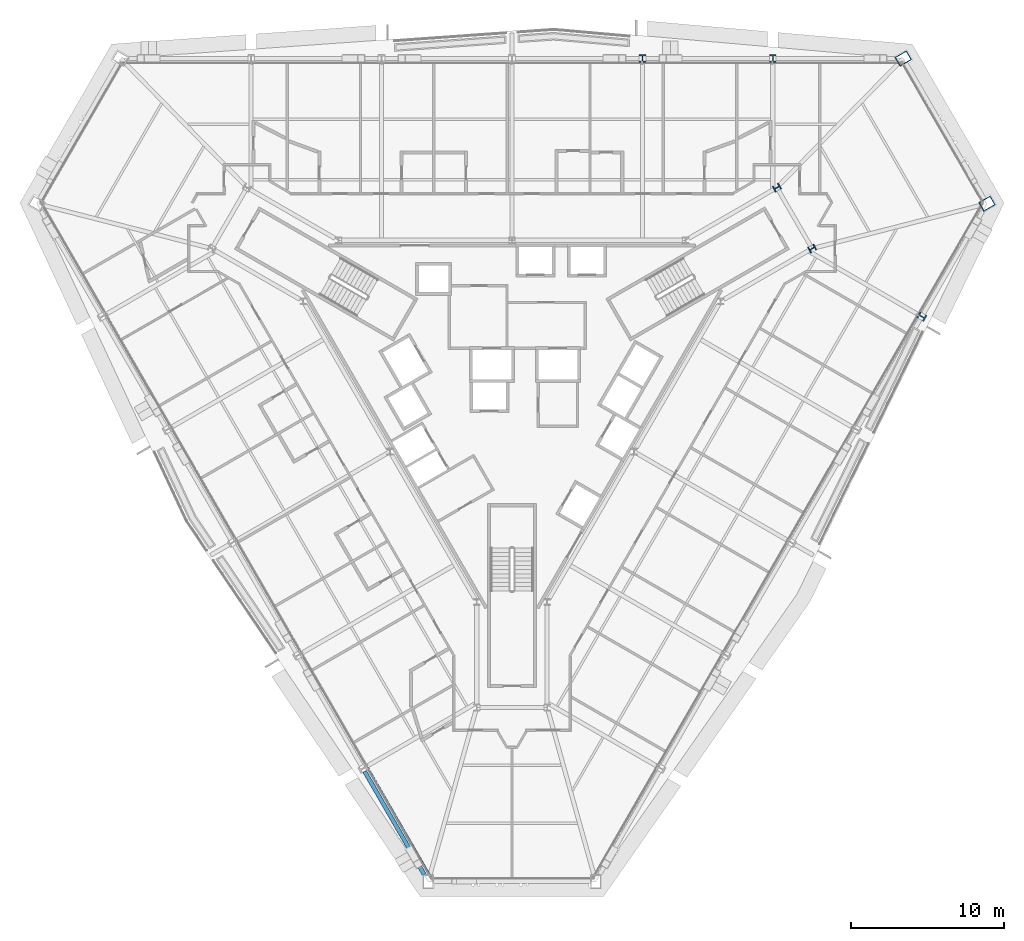
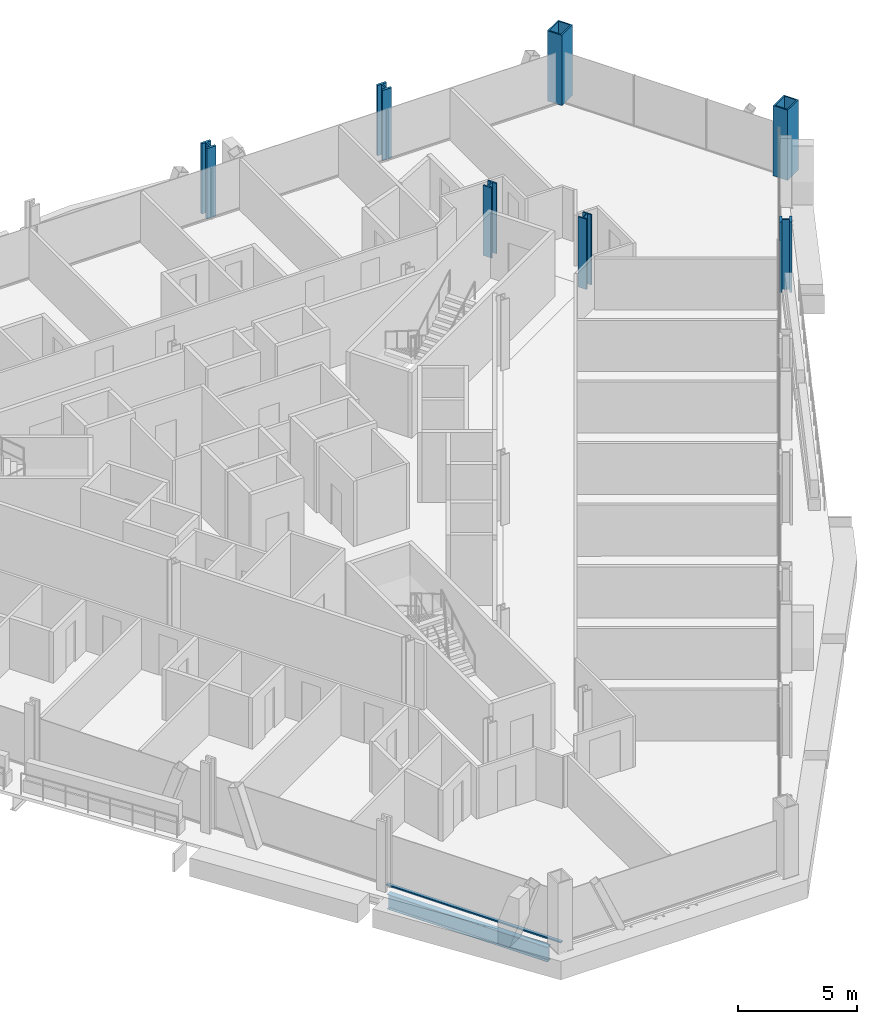
# One storey, part 2 of 18: 7 columns, 1 beam, 1 member, 1 element without a shape of its own.
"""IFC4 building model written with IfcOpenShell, lengths in metres."""

from ifc_helpers import new_model, si_unit, direction, frame, origin, origin_2d, place, context, subcontext, project, spatial, rectangle, hollow_rectangle, i_section, extrude, material, material_profile, profile_set, type_object, element, aggregate, save


model = new_model("IFC4")

# Units and contexts
model_context = context("Model", 3, precision=1e-05, world=origin(), true_north=direction((0.0, 1.0)))
body_context = subcontext(model_context, "Body", "Model", "MODEL_VIEW")
ifc_project = project(units=[si_unit("LENGTHUNIT", "METRE"), si_unit("AREAUNIT", "SQUARE_METRE"), si_unit("VOLUMEUNIT", "CUBIC_METRE"), si_unit("PLANEANGLEUNIT", "RADIAN"), si_unit("MASSUNIT", "GRAM", prefix="KILO")], contexts=[model_context])

# Site, building, storey
site_placement = place(None, origin())
site = spatial("IfcSite", under=ifc_project, at=site_placement, CompositionType="ELEMENT")
building_placement = place(site_placement, origin())
building = spatial("IfcBuilding", under=site, at=building_placement, Name="Verrane Prism Tower", CompositionType="ELEMENT")
storey_placement = place(building_placement, frame((0.0, 0.0, 54.800048828125)))
storey = spatial("IfcBuildingStorey", under=building, at=storey_placement, Name="L11", CompositionType="ELEMENT", Elevation=54.800048828125)

# Columns
ifc_material_1 = material(Name="Steel A992", Category="steel")
ifc_material_profile_1 = material_profile(ifc_material_1, i_section(OverallWidth=0.419189453125, OverallDepth=0.45458984375, WebThickness=0.042236328125, FlangeThickness=0.067626953125, FilletRadius=0.01513671875, at=origin_2d()), Name="W14x370")
ifc_profile_set_1 = profile_set([ifc_material_profile_1], Name="Steel A992")
column_type_1 = type_object("IfcColumnType", Name="Core corner column W14x370", PredefinedType="COLUMN", material=ifc_profile_set_1)
for number, where, z_axis, x_axis, name in (
    (1, (19.60009765625, 8.659912109375, 0.0), (0.0, 0.0, 1.0), (0.5, -0.866025403784, 0.0), "Core corner column CK-NEm L11"),
    (2, (17.300048828125, 12.639892578125, 0.0), (0.0, 0.0, 1.0), (0.5, -0.866025403784, 0.0), "Core corner column CK-NEp L11"),
):
    element("IfcColumn", number, at=place(storey_placement, frame(where, z_axis=z_axis, x_axis=x_axis)), inside=storey, type_object=column_type_1, Name=name, PredefinedType="COLUMN", context=body_context, shape_type="SweptSolid", body=[
        extrude(i_section(OverallWidth=0.419189453125, OverallDepth=0.45458984375, WebThickness=0.042236328125, FlangeThickness=0.067626953125, FilletRadius=0.01513671875, at=origin_2d()), origin(), (0.0, 0.0, 1.0), 3.599853515625),
    ])
ifc_material_2 = material(Name="Steel A572 Grade 50", Category="steel")
ifc_material_profile_2 = material_profile(ifc_material_2, hollow_rectangle(XDim=0.699951171875, YDim=0.89990234375, WallThickness=0.06494140625, at=origin_2d()), Name="BOX 900x700x65")
ifc_profile_set_2 = profile_set([ifc_material_profile_2], Name="Steel A572 Grade 50")
column_type_2 = type_object("IfcColumnType", Name="Megacolumn BOX 900x700x65", PredefinedType="COLUMN", material=ifc_profile_set_2)
for number, where, z_axis, x_axis, name in (
    (3, (25.550048828125, 21.070068359375, 0.0), (0.0, 0.0, 1.0), (0.5, -0.866025403784, 0.0), "Megacolumn MC-NE.b L11"),
    (4, (31.02001953125, 11.590087890625, 0.0), (0.0, 0.0, 1.0), (0.5, -0.866025403784, 0.0), "Megacolumn MC-NE.a L11"),
):
    element("IfcColumn", number, at=place(storey_placement, frame(where, z_axis=z_axis, x_axis=x_axis)), inside=storey, type_object=column_type_2, Name=name, PredefinedType="COLUMN", context=body_context, shape_type="SweptSolid", body=[
        extrude(hollow_rectangle(XDim=0.699951171875, YDim=0.89990234375, WallThickness=0.06494140625, at=origin_2d()), origin(), (0.0, 0.0, 1.0), 3.599853515625),
    ])
ifc_material_3 = material(Name="Steel A992", Category="steel")
ifc_material_profile_3 = material_profile(ifc_material_3, i_section(OverallWidth=0.44189453125, OverallDepth=0.53076171875, WebThickness=0.06591796875, FlangeThickness=0.105712890625, FilletRadius=0.01513671875, at=origin_2d()), Name="W14x605")
ifc_profile_set_3 = profile_set([ifc_material_profile_3], Name="Steel A992")
column_type_3 = type_object("IfcColumnType", Name="Perimeter column W14x605", PredefinedType="COLUMN", material=ifc_profile_set_3)
for number, where, z_axis, x_axis, name in (
    (5, (17.030029296875, 21.070068359375, 0.0), (0.0, 0.0, 1.0), (1.0, 0.0, 0.0), "Perimeter column PC-N1 L11"),
    (6, (8.52001953125, 21.070068359375, 0.0), (0.0, 0.0, 1.0), (1.0, 0.0, 0.0), "Perimeter column PC-N2 L11"),
    (7, (26.760009765625, 4.219970703125, 0.0), (0.0, 0.0, 1.0), (-0.5, -0.866025403784, 0.0), "Perimeter column PC-SE5 L11"),
):
    element("IfcColumn", number, at=place(storey_placement, frame(where, z_axis=z_axis, x_axis=x_axis)), inside=storey, type_object=column_type_3, Name=name, PredefinedType="COLUMN", context=body_context, shape_type="SweptSolid", body=[
        extrude(i_section(OverallWidth=0.44189453125, OverallDepth=0.53076171875, WebThickness=0.06591796875, FlangeThickness=0.105712890625, FilletRadius=0.01513671875, at=origin_2d()), origin(), (0.0, 0.0, 1.0), 3.599853515625),
    ])

# Beam
ifc_material_4 = material(Name="Steel A992", Category="steel")
ifc_material_profile_4 = material_profile(ifc_material_4, i_section(OverallWidth=0.2666015625, OverallDepth=0.7568359375, WebThickness=0.013916015625, FlangeThickness=0.019287109375, FilletRadius=0.0166015625, at=origin_2d()), Name="W30x108")
ifc_profile_set_4 = profile_set([ifc_material_profile_4], Name="Steel A992")
beam_type = type_object("IfcBeamType", Name="Spandrel beam W30x108", PredefinedType="SPANDREL", material=ifc_profile_set_4)
beam_placement = place(storey_placement, frame((-9.619384765625, -25.481201171875, -0.53857421875), z_axis=(0.500439305817, -0.865771621846, 0.0), x_axis=(0.865771621846, 0.500439305817, 0.0)))
element("IfcBeam", 8, at=beam_placement, inside=storey, type_object=beam_type, Name="Spandrel beam L11", PredefinedType="SPANDREL", context=body_context, shape_type="SweptSolid", body=[
    extrude(i_section(OverallWidth=0.2666015625, OverallDepth=0.7568359375, WebThickness=0.013916015625, FlangeThickness=0.019287109375, FilletRadius=0.0166015625, at=origin_2d()), origin(), (0.0, 0.0, 1.0), 7.77197265625),
])

# Curtain wall, member
ifc_material_5 = material(Name="Aluminium framed insulated glazing", Category="aluminium")
curtain_wall_type = type_object("IfcCurtainWallType", Name="Curtain wall CW-A 8400 module", PredefinedType="NOTDEFINED", material=ifc_material_5)
curtain_wall_placement = place(storey_placement, origin())
curtain_wall = element("IfcCurtainWall", 9, at=curtain_wall_placement, inside=storey, type_object=curtain_wall_type, Name="Glazed curtain wall south-west face L11", PredefinedType="NOTDEFINED")
ifc_material_6 = material(Name="Aluminium alloy 6063-T6", Category="aluminium")
ifc_material_profile_5 = material_profile(ifc_material_6, rectangle(XDim=0.14990234375, YDim=0.070068359375, at=origin_2d()), Name="Transom 70x150 aluminium")
ifc_profile_set_5 = profile_set([ifc_material_profile_5], Name="Aluminium alloy 6063-T6")
member_type = type_object("IfcMemberType", Name="Transom 70x150 aluminium", PredefinedType="USERDEFINED", material=ifc_profile_set_5)
member_placement = place(storey_placement, frame((-9.496337890625, -25.134033203125, 0.034912109375), z_axis=(0.500014000576, -0.866017320397, 0.0), x_axis=(0.866017320397, 0.500014000576, 0.0)))
member = element("IfcMember", 10, at=member_placement, type_object=member_type, Name="CW09.4 transom 6", ObjectType="TRANSOM", PredefinedType="USERDEFINED", context=body_context, shape_type="SweptSolid", body=[
    extrude(rectangle(XDim=0.14990234375, YDim=0.070068359375, at=origin_2d()), origin(), (0.0, 0.0, 1.0), 8.456787109375),
])
aggregate(curtain_wall, [member])

save(model, "model.ifc")
